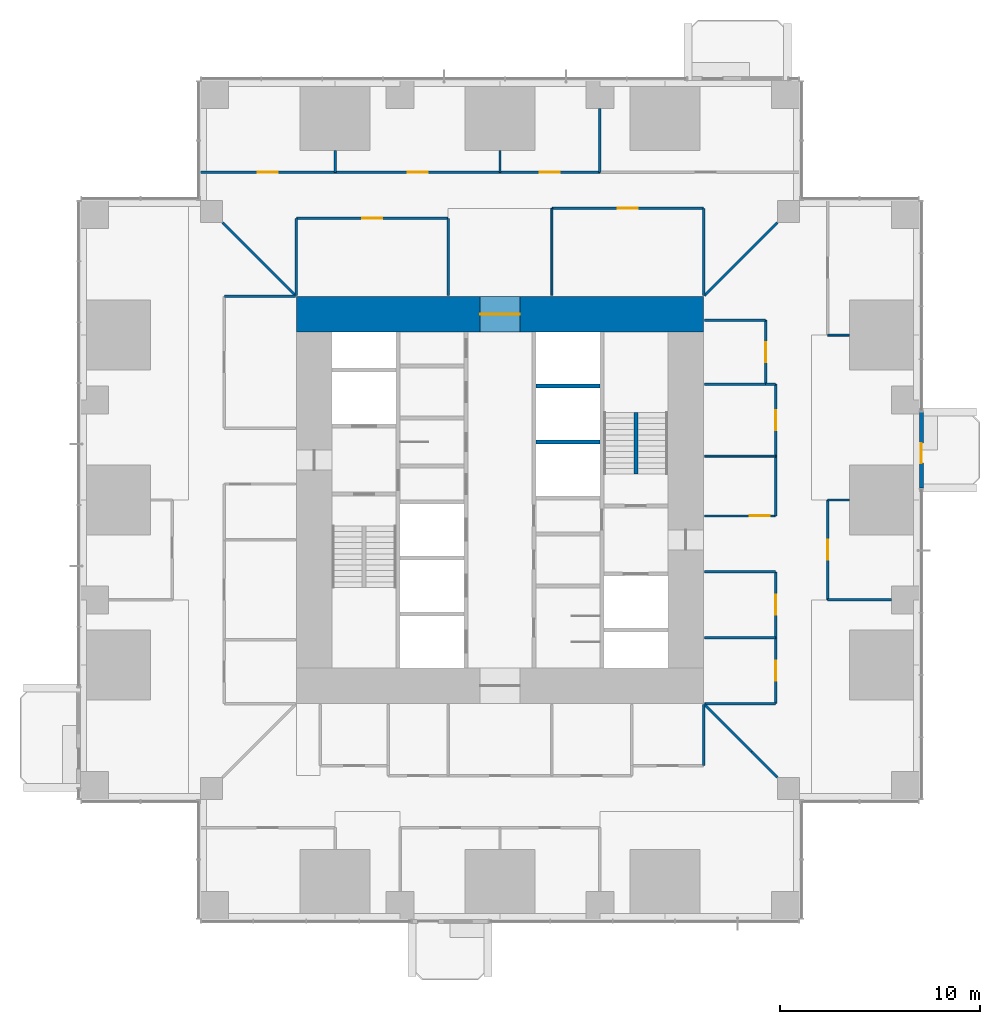
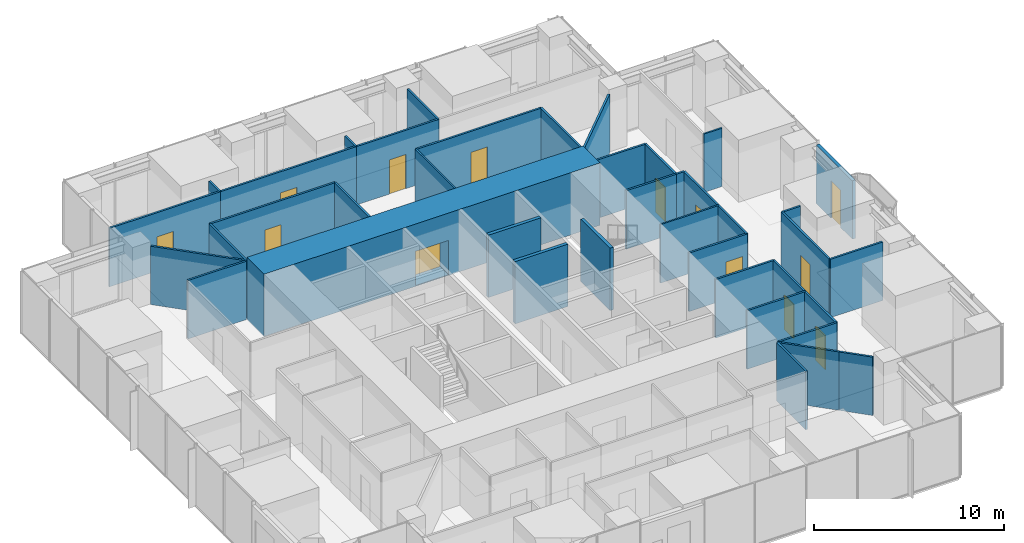
# One storey, part 13 of 18: 40 walls, 13 doors, 13 openings.
"""IFC4 building model written with IfcOpenShell, lengths in metres."""

from ifc_helpers import new_model, si_unit, direction, frame, frame_2d, origin, place, context, subcontext, project, spatial, rectangle, extrude, material, layer, layer_set, type_object, element, fill, save


model = new_model("IFC4")

# Units and contexts
model_context = context("Model", 3, precision=1e-05, world=origin(), true_north=direction((0.0, 1.0)))
body_context = subcontext(model_context, "Body", "Model", "MODEL_VIEW")
ifc_project = project(units=[si_unit("LENGTHUNIT", "METRE"), si_unit("AREAUNIT", "SQUARE_METRE"), si_unit("VOLUMEUNIT", "CUBIC_METRE"), si_unit("PLANEANGLEUNIT", "RADIAN"), si_unit("MASSUNIT", "GRAM", prefix="KILO")], contexts=[model_context])

# Site, building, storey
site_placement = place(None, origin())
site = spatial("IfcSite", under=ifc_project, at=site_placement, CompositionType="ELEMENT")
building_placement = place(site_placement, origin())
building = spatial("IfcBuilding", under=site, at=building_placement, Name="Svetlomir Tower", CompositionType="ELEMENT")
storey_placement = place(building_placement, frame((0.0, 0.0, 54.5)))
storey = spatial("IfcBuildingStorey", under=building, at=storey_placement, Name="L12", CompositionType="ELEMENT", Elevation=54.5)

# Wall, opening, door
ifc_material_1 = material(Name="Bronze anodised aluminium glazed screen", Category="aluminium")
ifc_layer_1 = layer(ifc_material_1, 0.199951171875)
ifc_layer_set_1 = layer_set([ifc_layer_1], Name="Bronze anodised aluminium glazed screen")
wall_type_1 = type_object("IfcWallType", Name="BALCONY SCREEN WALL 200", PredefinedType="USERDEFINED", material=ifc_layer_set_1)
wall_1_placement = place(storey_placement, frame((42.10009765625, 21.60009765625, 0.0), z_axis=(0.0, 0.0, 1.0), x_axis=(0.0, 1.0, 0.0)))
wall_1 = element("IfcWall", 1, at=wall_1_placement, inside=storey, type_object=wall_type_1, Name="Balcony screen E", ObjectType="GLAZED SCREEN", PredefinedType="USERDEFINED", context=body_context, shape_type="SweptSolid", body=[
    extrude(rectangle(XDim=3.7998046875, YDim=0.199951171875, at=frame_2d((1.89990234375, 0.0))), origin(), (0.0, 0.0, 1.0), 3.75),
])
opening_1_placement = place(wall_1_placement, frame((1.25, 0.0, 0.0)))
opening_1 = element("IfcOpeningElement", 2, at=opening_1_placement, cuts=wall_1, Name="Opening BD", PredefinedType="OPENING", context=body_context, shape_type="SweptSolid", body=[
    extrude(rectangle(XDim=1.0, YDim=2.39990234375, at=frame_2d((0.5, 1.199951171875))), frame((0.0, 0.10986328125, 0.0), z_axis=(0.0, -1.0, 0.0), x_axis=(1.0, 0.0, 0.0)), (0.0, 0.0, 1.0), 0.219970703125),
])
ifc_material_2 = material(Name="Bronze anodised aluminium glazed door", Category="aluminium")
door_type_1 = type_object("IfcDoorType", Name="BALCONY DOOR BD 1000x2400", OperationType="SINGLE_SWING_LEFT", PredefinedType="DOOR", material=ifc_material_2)
door_1_placement = place(opening_1_placement, origin())
door_1 = element("IfcDoor", 3, at=door_1_placement, inside=storey, type_object=door_type_1, Name="Balcony screen E door", OperationType="SINGLE_SWING_LEFT", OverallHeight=2.39990234375, OverallWidth=1.0, PredefinedType="DOOR", context=body_context, shape_type="SweptSolid", body=[
    extrude(rectangle(XDim=1.0, YDim=2.39990234375, at=frame_2d((0.5, 1.199951171875))), frame((0.0, 0.02490234375, 0.0), z_axis=(0.0, -1.0, 0.0), x_axis=(1.0, 0.0, 0.0)), (0.0, 0.0, 1.0), 0.050048828125),
])
fill(opening_1, door_1)

# Walls
ifc_material_3 = material(Name="Concrete C60/75", Category="concrete")
ifc_layer_2 = layer(ifc_material_3, 0.199951171875)
ifc_layer_set_2 = layer_set([ifc_layer_2], Name="Concrete C60/75")
wall_type_2 = type_object("IfcWallType", Name="CORE INNER WALL 200", PredefinedType="SHEAR", material=ifc_layer_set_2)
for number, where, z_axis, x_axis, name in (
    (4, (22.800048828125, 23.89990234375, -0.050048828125), (0.0, 0.0, 1.0), (1.0, 0.0, 0.0), "Core inner wall 22.8-26/23.9 L12"),
    (5, (22.800048828125, 26.699951171875, -0.050048828125), (0.0, 0.0, 1.0), (1.0, 0.0, 0.0), "Core inner wall 22.8-26/26.7 L12"),
):
    element("IfcWall", number, at=place(storey_placement, frame(where, z_axis=z_axis, x_axis=x_axis)), inside=storey, type_object=wall_type_2, Name=name, PredefinedType="SHEAR", context=body_context, shape_type="SweptSolid", body=[
        extrude(rectangle(XDim=3.199951171875, YDim=0.199951171875, at=frame_2d((1.60009765625, 0.0))), origin(), (0.0, 0.0, 1.0), 4.0),
    ])

# Wall, opening, door
ifc_material_4 = material(Name="Concrete C60/75", Category="concrete")
ifc_layer_3 = layer(ifc_material_4, 1.800048828125)
ifc_layer_set_3 = layer_set([ifc_layer_3], Name="Concrete C60/75")
wall_type_3 = type_object("IfcWallType", Name="CORE WALL 1800", PredefinedType="SHEAR", material=ifc_layer_set_3)
wall_2_placement = place(storey_placement, frame((10.800048828125, 30.300048828125, -0.050048828125), z_axis=(0.0, 0.0, 1.0), x_axis=(1.0, 0.0, 0.0)))
wall_2 = element("IfcWall", 6, at=wall_2_placement, inside=storey, type_object=wall_type_3, Name="Core wall north L12", PredefinedType="SHEAR", context=body_context, shape_type="SweptSolid", body=[
    extrude(rectangle(XDim=20.39990234375, YDim=1.800048828125, at=frame_2d((10.199951171875, 0.0))), origin(), (0.0, 0.0, 1.0), 4.0),
])
opening_2_placement = place(wall_2_placement, frame((9.199951171875, 0.0, 0.050048828125)))
opening_2 = element("IfcOpeningElement", 7, at=opening_2_placement, cuts=wall_2, Name="Opening DL", PredefinedType="OPENING", context=body_context, shape_type="SweptSolid", body=[
    extrude(rectangle(XDim=2.0, YDim=2.199951171875, at=frame_2d((1.0, 1.10009765625))), frame((0.0, 0.91015625, 0.0), z_axis=(0.0, -1.0, 0.0), x_axis=(1.0, 0.0, 0.0)), (0.0, 0.0, 1.0), 1.820068359375),
])
ifc_material_5 = material(Name="Steel fire door", Category="steel")
door_type_2 = type_object("IfcDoorType", Name="DOOR DL 2000x2200", OperationType="DOUBLE_DOOR_SINGLE_SWING", PredefinedType="DOOR", material=ifc_material_5)
door_2_placement = place(opening_2_placement, origin())
door_2 = element("IfcDoor", 8, at=door_2_placement, inside=storey, type_object=door_type_2, Name="Lift lobby north door L12", OperationType="DOUBLE_DOOR_SINGLE_SWING", OverallHeight=2.199951171875, OverallWidth=2.0, PredefinedType="DOOR", context=body_context, shape_type="SweptSolid", body=[
    extrude(rectangle(XDim=2.0, YDim=2.199951171875, at=frame_2d((1.0, 1.10009765625))), frame((0.0, 0.02490234375, 0.0), z_axis=(0.0, -1.0, 0.0), x_axis=(1.0, 0.0, 0.0)), (0.0, 0.0, 1.0), 0.050048828125),
])
fill(opening_2, door_2)

# Walls
ifc_material_6 = material(Name="Framed laminated glass partition", Category="glass")
ifc_layer_4 = layer(ifc_material_6, 0.10009765625)
ifc_layer_set_4 = layer_set([ifc_layer_4], Name="Framed laminated glass partition")
wall_type_4 = type_object("IfcWallType", Name="GLAZED PARTITION 100", PredefinedType="PARTITIONING", material=ifc_layer_set_4)
wall_3_placement = place(storey_placement, frame((23.60009765625, 31.25, 0.0), z_axis=(0.0, 0.0, 1.0), x_axis=(0.0, 1.0, 0.0)))
element("IfcWall", 9, at=wall_3_placement, inside=storey, type_object=wall_type_4, Name="Glazed partition L12", PredefinedType="PARTITIONING", context=body_context, shape_type="SweptSolid", body=[
    extrude(rectangle(XDim=4.35009765625, YDim=0.10009765625, at=frame_2d((2.175048828125, 0.0))), origin(), (0.0, 0.0, 1.0), 3.75),
])
wall_4_placement = place(storey_placement, frame((31.25, 23.199951171875, 0.0), z_axis=(0.0, 0.0, 1.0), x_axis=(1.0, 0.0, 0.0)))
element("IfcWall", 10, at=wall_4_placement, inside=storey, type_object=wall_type_4, Name="Glazed partition L12", PredefinedType="PARTITIONING", context=body_context, shape_type="SweptSolid", body=[
    extrude(rectangle(XDim=3.550048828125, YDim=0.10009765625, at=frame_2d((1.77490234375, 0.0))), origin(), (0.0, 0.0, 1.0), 3.75),
])
wall_5_placement = place(storey_placement, frame((37.39990234375, 29.25, 0.0), z_axis=(0.0, 0.0, 1.0), x_axis=(1.0, 0.0, 0.0)))
element("IfcWall", 11, at=wall_5_placement, inside=storey, type_object=wall_type_4, Name="Glazed partition L12", PredefinedType="PARTITIONING", context=body_context, shape_type="SweptSolid", body=[
    extrude(rectangle(XDim=1.090087890625, YDim=0.10009765625, at=frame_2d((0.544921875, 0.0))), origin(), (0.0, 0.0, 1.0), 3.75),
])

# Wall, opening, door
ifc_material_7 = material(Name="Gypsum board on steel studs", Category="steel")
ifc_layer_5 = layer(ifc_material_7, 0.1201171875)
ifc_layer_set_5 = layer_set([ifc_layer_5], Name="Gypsum board on steel studs")
wall_type_5 = type_object("IfcWallType", Name="PARTITION 120", PredefinedType="PARTITIONING", material=ifc_layer_set_5)
wall_6_placement = place(storey_placement, frame((6.0, 37.39990234375, 0.0), z_axis=(0.0, 0.0, 1.0), x_axis=(1.0, 0.0, 0.0)))
wall_6 = element("IfcWall", 12, at=wall_6_placement, inside=storey, type_object=wall_type_5, Name="Partition L12", PredefinedType="PARTITIONING", context=body_context, shape_type="SweptSolid", body=[
    extrude(rectangle(XDim=6.75, YDim=0.1201171875, at=frame_2d((3.375, 0.0))), origin(), (0.0, 0.0, 1.0), 3.75),
])
opening_3_placement = place(wall_6_placement, frame((2.875, 0.0, 0.0)))
opening_3 = element("IfcOpeningElement", 13, at=opening_3_placement, cuts=wall_6, Name="Opening DR", PredefinedType="OPENING", context=body_context, shape_type="SweptSolid", body=[
    extrude(rectangle(XDim=1.0, YDim=2.199951171875, at=frame_2d((0.5, 1.10009765625))), frame((0.0, 0.070068359375, 0.0), z_axis=(0.0, -1.0, 0.0), x_axis=(1.0, 0.0, 0.0)), (0.0, 0.0, 1.0), 0.14013671875),
])
ifc_material_8 = material(Name="Timber door, glazed side light", Category="wood")
door_type_3 = type_object("IfcDoorType", Name="DOOR DR 1000x2200", OperationType="SINGLE_SWING_LEFT", PredefinedType="DOOR", material=ifc_material_8)
door_3_placement = place(opening_3_placement, origin())
door_3 = element("IfcDoor", 14, at=door_3_placement, inside=storey, type_object=door_type_3, Name="Data protection officer office door L12", OperationType="SINGLE_SWING_RIGHT", OverallHeight=2.199951171875, OverallWidth=1.0, PredefinedType="DOOR", context=body_context, shape_type="SweptSolid", body=[
    extrude(rectangle(XDim=1.0, YDim=2.199951171875, at=frame_2d((0.5, 1.10009765625))), frame((0.0, 0.02490234375, 0.0), z_axis=(0.0, -1.0, 0.0), x_axis=(1.0, 0.0, 0.0)), (0.0, 0.0, 1.0), 0.050048828125),
])
fill(opening_3, door_3)

# Walls
wall_7_placement = place(storey_placement, frame((7.110107421875, 34.889892578125, 0.0), z_axis=(0.0, 0.0, 1.0), x_axis=(0.707106781187, -0.707106781187, 0.0)))
element("IfcWall", 15, at=wall_7_placement, inside=storey, type_object=wall_type_5, Name="Partition L12", PredefinedType="PARTITIONING", context=body_context, shape_type="SweptSolid", body=[
    extrude(rectangle(XDim=5.168212890625, YDim=0.1201171875, at=frame_2d((2.583984375, 0.0))), origin(), (0.0, 0.0, 1.0), 3.75),
])
wall_8_placement = place(storey_placement, frame((7.199951171875, 31.199951171875, 0.0), z_axis=(0.0, 0.0, 1.0), x_axis=(1.0, 0.0, 0.0)))
element("IfcWall", 16, at=wall_8_placement, inside=storey, type_object=wall_type_5, Name="Partition L12", PredefinedType="PARTITIONING", context=body_context, shape_type="SweptSolid", body=[
    extrude(rectangle(XDim=3.550048828125, YDim=0.1201171875, at=frame_2d((1.77490234375, 0.0))), origin(), (0.0, 0.0, 1.0), 3.75),
])
wall_9_placement = place(storey_placement, frame((10.800048828125, 31.25, 0.0), z_axis=(0.0, 0.0, 1.0), x_axis=(0.0, 1.0, 0.0)))
element("IfcWall", 17, at=wall_9_placement, inside=storey, type_object=wall_type_5, Name="Partition L12", PredefinedType="PARTITIONING", context=body_context, shape_type="SweptSolid", body=[
    extrude(rectangle(XDim=3.85009765625, YDim=0.1201171875, at=frame_2d((1.925048828125, 0.0))), origin(), (0.0, 0.0, 1.0), 3.75),
])

# Wall, opening, door
wall_10_placement = place(storey_placement, frame((10.800048828125, 35.10009765625, 0.0), z_axis=(0.0, 0.0, 1.0), x_axis=(1.0, 0.0, 0.0)))
wall_10 = element("IfcWall", 18, at=wall_10_placement, inside=storey, type_object=wall_type_5, Name="Partition L12", PredefinedType="PARTITIONING", context=body_context, shape_type="SweptSolid", body=[
    extrude(rectangle(XDim=7.599853515625, YDim=0.1201171875, at=frame_2d((3.7998046875, 0.0))), origin(), (0.0, 0.0, 1.0), 3.75),
])
opening_4_placement = place(wall_10_placement, frame((3.300048828125, 0.0, 0.0)))
opening_4 = element("IfcOpeningElement", 19, at=opening_4_placement, cuts=wall_10, Name="Opening DR", PredefinedType="OPENING", context=body_context, shape_type="SweptSolid", body=[
    extrude(rectangle(XDim=1.0, YDim=2.199951171875, at=frame_2d((0.5, 1.10009765625))), frame((0.0, 0.070068359375, 0.0), z_axis=(0.0, -1.0, 0.0), x_axis=(1.0, 0.0, 0.0)), (0.0, 0.0, 1.0), 0.14013671875),
])
door_4_placement = place(opening_4_placement, origin())
door_4 = element("IfcDoor", 20, at=door_4_placement, inside=storey, type_object=door_type_3, Name="Security operations centre door L12", OperationType="SINGLE_SWING_LEFT", OverallHeight=2.199951171875, OverallWidth=1.0, PredefinedType="DOOR", context=body_context, shape_type="SweptSolid", body=[
    extrude(rectangle(XDim=1.0, YDim=2.199951171875, at=frame_2d((0.5, 1.10009765625))), frame((0.0, 0.02490234375, 0.0), z_axis=(0.0, -1.0, 0.0), x_axis=(1.0, 0.0, 0.0)), (0.0, 0.0, 1.0), 0.050048828125),
])
fill(opening_4, door_4)

# Wall
wall_11_placement = place(storey_placement, frame((12.75, 37.39990234375, 0.0), z_axis=(0.0, 0.0, 1.0), x_axis=(0.0, 1.0, 0.0)))
element("IfcWall", 21, at=wall_11_placement, inside=storey, type_object=wall_type_5, Name="Partition L12", PredefinedType="PARTITIONING", context=body_context, shape_type="SweptSolid", body=[
    extrude(rectangle(XDim=1.090087890625, YDim=0.1201171875, at=frame_2d((0.544921875, 0.0))), origin(), (0.0, 0.0, 1.0), 3.75),
])

# Wall, opening, door
wall_12_placement = place(storey_placement, frame((12.75, 37.39990234375, 0.0), z_axis=(0.0, 0.0, 1.0), x_axis=(1.0, 0.0, 0.0)))
wall_12 = element("IfcWall", 22, at=wall_12_placement, inside=storey, type_object=wall_type_5, Name="Partition L12", PredefinedType="PARTITIONING", context=body_context, shape_type="SweptSolid", body=[
    extrude(rectangle(XDim=8.25, YDim=0.1201171875, at=frame_2d((4.125, 0.0))), origin(), (0.0, 0.0, 1.0), 3.75),
])
opening_5_placement = place(wall_12_placement, frame((3.625, 0.0, 0.0)))
opening_5 = element("IfcOpeningElement", 23, at=opening_5_placement, cuts=wall_12, Name="Opening DG", PredefinedType="OPENING", context=body_context, shape_type="SweptSolid", body=[
    extrude(rectangle(XDim=1.0, YDim=2.39990234375, at=frame_2d((0.5, 1.199951171875))), frame((0.0, 0.070068359375, 0.0), z_axis=(0.0, -1.0, 0.0), x_axis=(1.0, 0.0, 0.0)), (0.0, 0.0, 1.0), 0.14013671875),
])
ifc_material_9 = material(Name="Framed laminated glass door", Category="glass")
door_type_4 = type_object("IfcDoorType", Name="GLAZED DOOR DG 1000x2400", OperationType="SINGLE_SWING_LEFT", PredefinedType="DOOR", material=ifc_material_9)
door_5_placement = place(opening_5_placement, origin())
door_5 = element("IfcDoor", 24, at=door_5_placement, inside=storey, type_object=door_type_4, Name="Ring corridor 4 door 1 L12", OperationType="SINGLE_SWING_LEFT", OverallHeight=2.39990234375, OverallWidth=1.0, PredefinedType="DOOR", context=body_context, shape_type="SweptSolid", body=[
    extrude(rectangle(XDim=1.0, YDim=2.39990234375, at=frame_2d((0.5, 1.199951171875))), frame((0.0, 0.02490234375, 0.0), z_axis=(0.0, -1.0, 0.0), x_axis=(1.0, 0.0, 0.0)), (0.0, 0.0, 1.0), 0.050048828125),
])
fill(opening_5, door_5)

# Walls
wall_13_placement = place(storey_placement, frame((18.39990234375, 31.25, 0.0), z_axis=(0.0, 0.0, 1.0), x_axis=(0.0, 1.0, 0.0)))
element("IfcWall", 25, at=wall_13_placement, inside=storey, type_object=wall_type_5, Name="Partition L12", PredefinedType="PARTITIONING", context=body_context, shape_type="SweptSolid", body=[
    extrude(rectangle(XDim=3.85009765625, YDim=0.1201171875, at=frame_2d((1.925048828125, 0.0))), origin(), (0.0, 0.0, 1.0), 3.75),
])
wall_14_placement = place(storey_placement, frame((21.0, 37.39990234375, 0.0), z_axis=(0.0, 0.0, 1.0), x_axis=(0.0, 1.0, 0.0)))
element("IfcWall", 26, at=wall_14_placement, inside=storey, type_object=wall_type_5, Name="Partition L12", PredefinedType="PARTITIONING", context=body_context, shape_type="SweptSolid", body=[
    extrude(rectangle(XDim=1.090087890625, YDim=0.1201171875, at=frame_2d((0.544921875, 0.0))), origin(), (0.0, 0.0, 1.0), 3.75),
])

# Wall, opening, door
wall_15_placement = place(storey_placement, frame((21.0, 37.39990234375, 0.0), z_axis=(0.0, 0.0, 1.0), x_axis=(1.0, 0.0, 0.0)))
wall_15 = element("IfcWall", 27, at=wall_15_placement, inside=storey, type_object=wall_type_5, Name="Partition L12", PredefinedType="PARTITIONING", context=body_context, shape_type="SweptSolid", body=[
    extrude(rectangle(XDim=5.0, YDim=0.1201171875, at=frame_2d((2.5, 0.0))), origin(), (0.0, 0.0, 1.0), 3.75),
])
opening_6_placement = place(wall_15_placement, frame((2.0, 0.0, 0.0)))
opening_6 = element("IfcOpeningElement", 28, at=opening_6_placement, cuts=wall_15, Name="Opening DR", PredefinedType="OPENING", context=body_context, shape_type="SweptSolid", body=[
    extrude(rectangle(XDim=1.0, YDim=2.199951171875, at=frame_2d((0.5, 1.10009765625))), frame((0.0, 0.070068359375, 0.0), z_axis=(0.0, -1.0, 0.0), x_axis=(1.0, 0.0, 0.0)), (0.0, 0.0, 1.0), 0.14013671875),
])
door_6_placement = place(opening_6_placement, origin())
door_6 = element("IfcDoor", 29, at=door_6_placement, inside=storey, type_object=door_type_3, Name="Chief information security officer office door L12", OperationType="SINGLE_SWING_LEFT", OverallHeight=2.199951171875, OverallWidth=1.0, PredefinedType="DOOR", context=body_context, shape_type="SweptSolid", body=[
    extrude(rectangle(XDim=1.0, YDim=2.199951171875, at=frame_2d((0.5, 1.10009765625))), frame((0.0, 0.02490234375, 0.0), z_axis=(0.0, -1.0, 0.0), x_axis=(1.0, 0.0, 0.0)), (0.0, 0.0, 1.0), 0.050048828125),
])
fill(opening_6, door_6)

wall_16_placement = place(storey_placement, frame((23.60009765625, 35.60009765625, 0.0), z_axis=(0.0, 0.0, 1.0), x_axis=(1.0, 0.0, 0.0)))
wall_16 = element("IfcWall", 30, at=wall_16_placement, inside=storey, type_object=wall_type_5, Name="Partition L12", PredefinedType="PARTITIONING", context=body_context, shape_type="SweptSolid", body=[
    extrude(rectangle(XDim=7.599853515625, YDim=0.1201171875, at=frame_2d((3.7998046875, 0.0))), origin(), (0.0, 0.0, 1.0), 3.75),
])
opening_7_placement = place(wall_16_placement, frame((3.300048828125, 0.0, 0.0)))
opening_7 = element("IfcOpeningElement", 31, at=opening_7_placement, cuts=wall_16, Name="Opening DG", PredefinedType="OPENING", context=body_context, shape_type="SweptSolid", body=[
    extrude(rectangle(XDim=1.0, YDim=2.39990234375, at=frame_2d((0.5, 1.199951171875))), frame((0.0, 0.070068359375, 0.0), z_axis=(0.0, -1.0, 0.0), x_axis=(1.0, 0.0, 0.0)), (0.0, 0.0, 1.0), 0.14013671875),
])
door_7_placement = place(opening_7_placement, origin())
door_7 = element("IfcDoor", 32, at=door_7_placement, inside=storey, type_object=door_type_4, Name="Incident response room, 12 seats door L12", OperationType="SINGLE_SWING_RIGHT", OverallHeight=2.39990234375, OverallWidth=1.0, PredefinedType="DOOR", context=body_context, shape_type="SweptSolid", body=[
    extrude(rectangle(XDim=1.0, YDim=2.39990234375, at=frame_2d((0.5, 1.199951171875))), frame((0.0, 0.02490234375, 0.0), z_axis=(0.0, -1.0, 0.0), x_axis=(1.0, 0.0, 0.0)), (0.0, 0.0, 1.0), 0.050048828125),
])
fill(opening_7, door_7)

# Walls
wall_17_placement = place(storey_placement, frame((26.0, 37.39990234375, 0.0), z_axis=(0.0, 0.0, 1.0), x_axis=(0.0, 1.0, 0.0)))
element("IfcWall", 33, at=wall_17_placement, inside=storey, type_object=wall_type_5, Name="Partition L12", PredefinedType="PARTITIONING", context=body_context, shape_type="SweptSolid", body=[
    extrude(rectangle(XDim=3.190185546875, YDim=0.1201171875, at=frame_2d((1.59521484375, 0.0))), origin(), (0.0, 0.0, 1.0), 3.75),
])
wall_18_placement = place(storey_placement, frame((31.199951171875, 7.699951171875, 0.0), z_axis=(0.0, 0.0, 1.0), x_axis=(0.0, 1.0, 0.0)))
element("IfcWall", 34, at=wall_18_placement, inside=storey, type_object=wall_type_5, Name="Partition L12", PredefinedType="PARTITIONING", context=body_context, shape_type="SweptSolid", body=[
    extrude(rectangle(XDim=3.050048828125, YDim=0.1201171875, at=frame_2d((1.52490234375, 0.0))), origin(), (0.0, 0.0, 1.0), 3.75),
])
wall_19_placement = place(storey_placement, frame((31.199951171875, 31.25, 0.0), z_axis=(0.0, 0.0, 1.0), x_axis=(0.0, 1.0, 0.0)))
element("IfcWall", 35, at=wall_19_placement, inside=storey, type_object=wall_type_5, Name="Partition L12", PredefinedType="PARTITIONING", context=body_context, shape_type="SweptSolid", body=[
    extrude(rectangle(XDim=4.35009765625, YDim=0.1201171875, at=frame_2d((2.175048828125, 0.0))), origin(), (0.0, 0.0, 1.0), 3.75),
])
wall_20_placement = place(storey_placement, frame((31.2353515625, 10.7646484375, 0.0), z_axis=(0.0, 0.0, 1.0), x_axis=(0.707106781187, -0.707106781187, 0.0)))
element("IfcWall", 36, at=wall_20_placement, inside=storey, type_object=wall_type_5, Name="Partition L12", PredefinedType="PARTITIONING", context=body_context, shape_type="SweptSolid", body=[
    extrude(rectangle(XDim=3.346435546875, YDim=0.1201171875, at=frame_2d((1.67333984375, 0.0))), origin(), (0.0, 0.0, 1.0), 3.75),
])
wall_21_placement = place(storey_placement, frame((31.2353515625, 31.2353515625, 0.0), z_axis=(0.0, 0.0, 1.0), x_axis=(0.707106781187, 0.707106781187, 0.0)))
element("IfcWall", 37, at=wall_21_placement, inside=storey, type_object=wall_type_5, Name="Partition L12", PredefinedType="PARTITIONING", context=body_context, shape_type="SweptSolid", body=[
    extrude(rectangle(XDim=5.168212890625, YDim=0.1201171875, at=frame_2d((2.583984375, 0.0))), origin(), (0.0, 0.0, 1.0), 3.75),
])
for number, where, z_axis, x_axis, name in (
    (38, (31.25, 10.800048828125, 0.0), (0.0, 0.0, 1.0), (1.0, 0.0, 0.0), "Partition L12"),
    (39, (31.25, 14.10009765625, 0.0), (0.0, 0.0, 1.0), (1.0, 0.0, 0.0), "Partition L12"),
    (40, (31.25, 17.39990234375, 0.0), (0.0, 0.0, 1.0), (1.0, 0.0, 0.0), "Partition L12"),
):
    element("IfcWall", number, at=place(storey_placement, frame(where, z_axis=z_axis, x_axis=x_axis)), inside=storey, type_object=wall_type_5, Name=name, PredefinedType="PARTITIONING", context=body_context, shape_type="SweptSolid", body=[
        extrude(rectangle(XDim=3.550048828125, YDim=0.1201171875, at=frame_2d((1.77490234375, 0.0))), origin(), (0.0, 0.0, 1.0), 3.75),
    ])

# Wall, opening, door
wall_22_placement = place(storey_placement, frame((31.25, 20.199951171875, 0.0), z_axis=(0.0, 0.0, 1.0), x_axis=(1.0, 0.0, 0.0)))
wall_22 = element("IfcWall", 41, at=wall_22_placement, inside=storey, type_object=wall_type_5, Name="Partition L12", PredefinedType="PARTITIONING", context=body_context, shape_type="SweptSolid", body=[
    extrude(rectangle(XDim=3.550048828125, YDim=0.1201171875, at=frame_2d((1.77490234375, 0.0))), origin(), (0.0, 0.0, 1.0), 3.75),
])
opening_8_placement = place(wall_22_placement, frame((2.25, 0.0, 0.0)))
opening_8 = element("IfcOpeningElement", 42, at=opening_8_placement, cuts=wall_22, Name="Opening DG", PredefinedType="OPENING", context=body_context, shape_type="SweptSolid", body=[
    extrude(rectangle(XDim=1.0, YDim=2.39990234375, at=frame_2d((0.5, 1.199951171875))), frame((0.0, 0.070068359375, 0.0), z_axis=(0.0, -1.0, 0.0), x_axis=(1.0, 0.0, 0.0)), (0.0, 0.0, 1.0), 0.14013671875),
])
door_8_placement = place(opening_8_placement, origin())
door_8 = element("IfcDoor", 43, at=door_8_placement, inside=storey, type_object=door_type_4, Name="Ring corridor 3 door 3 L12", OperationType="SINGLE_SWING_RIGHT", OverallHeight=2.39990234375, OverallWidth=1.0, PredefinedType="DOOR", context=body_context, shape_type="SweptSolid", body=[
    extrude(rectangle(XDim=1.0, YDim=2.39990234375, at=frame_2d((0.5, 1.199951171875))), frame((0.0, 0.02490234375, 0.0), z_axis=(0.0, -1.0, 0.0), x_axis=(1.0, 0.0, 0.0)), (0.0, 0.0, 1.0), 0.050048828125),
])
fill(opening_8, door_8)

# Walls
for number, where, z_axis, x_axis, name in (
    (44, (31.25, 26.800048828125, 0.0), (0.0, 0.0, 1.0), (1.0, 0.0, 0.0), "Partition L12"),
    (45, (31.25, 30.0, 0.0), (0.0, 0.0, 1.0), (1.0, 0.0, 0.0), "Partition L12"),
):
    element("IfcWall", number, at=place(storey_placement, frame(where, z_axis=z_axis, x_axis=x_axis)), inside=storey, type_object=wall_type_5, Name=name, PredefinedType="PARTITIONING", context=body_context, shape_type="SweptSolid", body=[
        extrude(rectangle(XDim=3.050048828125, YDim=0.1201171875, at=frame_2d((1.52490234375, 0.0))), origin(), (0.0, 0.0, 1.0), 3.75),
    ])
wall_23_placement = place(storey_placement, frame((33.6015625, 8.3984375, 0.0), z_axis=(0.0, 0.0, 1.0), x_axis=(0.707106781187, -0.707106781187, 0.0)))
element("IfcWall", 46, at=wall_23_placement, inside=storey, type_object=wall_type_5, Name="Partition L12", PredefinedType="PARTITIONING", context=body_context, shape_type="SweptSolid", body=[
    extrude(rectangle(XDim=1.822021484375, YDim=0.1201171875, at=frame_2d((0.9111328125, 0.0))), origin(), (0.0, 0.0, 1.0), 3.75),
])

# Wall, opening, door
wall_24_placement = place(storey_placement, frame((34.300048828125, 26.800048828125, 0.0), z_axis=(0.0, 0.0, 1.0), x_axis=(0.0, 1.0, 0.0)))
wall_24 = element("IfcWall", 47, at=wall_24_placement, inside=storey, type_object=wall_type_5, Name="Partition L12", PredefinedType="PARTITIONING", context=body_context, shape_type="SweptSolid", body=[
    extrude(rectangle(XDim=3.199951171875, YDim=0.1201171875, at=frame_2d((1.60009765625, 0.0))), origin(), (0.0, 0.0, 1.0), 3.75),
])
opening_9_placement = place(wall_24_placement, frame((1.10009765625, 0.0, 0.0)))
opening_9 = element("IfcOpeningElement", 48, at=opening_9_placement, cuts=wall_24, Name="Opening DR", PredefinedType="OPENING", context=body_context, shape_type="SweptSolid", body=[
    extrude(rectangle(XDim=1.0, YDim=2.199951171875, at=frame_2d((0.5, 1.10009765625))), frame((0.0, 0.070068359375, 0.0), z_axis=(0.0, -1.0, 0.0), x_axis=(1.0, 0.0, 0.0)), (0.0, 0.0, 1.0), 0.14013671875),
])
door_9_placement = place(opening_9_placement, origin())
door_9 = element("IfcDoor", 49, at=door_9_placement, inside=storey, type_object=door_type_3, Name="Equipment store door L12", OperationType="SINGLE_SWING_RIGHT", OverallHeight=2.199951171875, OverallWidth=1.0, PredefinedType="DOOR", context=body_context, shape_type="SweptSolid", body=[
    extrude(rectangle(XDim=1.0, YDim=2.199951171875, at=frame_2d((0.5, 1.10009765625))), frame((0.0, 0.02490234375, 0.0), z_axis=(0.0, -1.0, 0.0), x_axis=(1.0, 0.0, 0.0)), (0.0, 0.0, 1.0), 0.050048828125),
])
fill(opening_9, door_9)

# Wall
wall_25_placement = place(storey_placement, frame((34.300048828125, 26.800048828125, 0.0), z_axis=(0.0, 0.0, 1.0), x_axis=(1.0, 0.0, 0.0)))
element("IfcWall", 50, at=wall_25_placement, inside=storey, type_object=wall_type_5, Name="Partition L12", PredefinedType="PARTITIONING", context=body_context, shape_type="SweptSolid", body=[
    extrude(rectangle(XDim=0.5, YDim=0.1201171875, at=frame_2d((0.25, 0.0))), origin(), (0.0, 0.0, 1.0), 3.75),
])

# Wall, opening, door
wall_26_placement = place(storey_placement, frame((34.800048828125, 10.800048828125, 0.0), z_axis=(0.0, 0.0, 1.0), x_axis=(0.0, 1.0, 0.0)))
wall_26 = element("IfcWall", 51, at=wall_26_placement, inside=storey, type_object=wall_type_5, Name="Partition L12", PredefinedType="PARTITIONING", context=body_context, shape_type="SweptSolid", body=[
    extrude(rectangle(XDim=3.300048828125, YDim=0.1201171875, at=frame_2d((1.64990234375, 0.0))), origin(), (0.0, 0.0, 1.0), 3.75),
])
opening_10_placement = place(wall_26_placement, frame((1.14990234375, 0.0, 0.0)))
opening_10 = element("IfcOpeningElement", 52, at=opening_10_placement, cuts=wall_26, Name="Opening DR", PredefinedType="OPENING", context=body_context, shape_type="SweptSolid", body=[
    extrude(rectangle(XDim=1.0, YDim=2.199951171875, at=frame_2d((0.5, 1.10009765625))), frame((0.0, 0.070068359375, 0.0), z_axis=(0.0, -1.0, 0.0), x_axis=(1.0, 0.0, 0.0)), (0.0, 0.0, 1.0), 0.14013671875),
])
door_10_placement = place(opening_10_placement, origin())
door_10 = element("IfcDoor", 53, at=door_10_placement, inside=storey, type_object=door_type_3, Name="Team leader office door L12", OperationType="SINGLE_SWING_LEFT", OverallHeight=2.199951171875, OverallWidth=1.0, PredefinedType="DOOR", context=body_context, shape_type="SweptSolid", body=[
    extrude(rectangle(XDim=1.0, YDim=2.199951171875, at=frame_2d((0.5, 1.10009765625))), frame((0.0, 0.02490234375, 0.0), z_axis=(0.0, -1.0, 0.0), x_axis=(1.0, 0.0, 0.0)), (0.0, 0.0, 1.0), 0.050048828125),
])
fill(opening_10, door_10)

wall_27_placement = place(storey_placement, frame((34.800048828125, 14.10009765625, 0.0), z_axis=(0.0, 0.0, 1.0), x_axis=(0.0, 1.0, 0.0)))
wall_27 = element("IfcWall", 54, at=wall_27_placement, inside=storey, type_object=wall_type_5, Name="Partition L12", PredefinedType="PARTITIONING", context=body_context, shape_type="SweptSolid", body=[
    extrude(rectangle(XDim=3.2998046875, YDim=0.1201171875, at=frame_2d((1.64990234375, 0.0))), origin(), (0.0, 0.0, 1.0), 3.75),
])
opening_11_placement = place(wall_27_placement, frame((1.14990234375, 0.0, 0.0)))
opening_11 = element("IfcOpeningElement", 55, at=opening_11_placement, cuts=wall_27, Name="Opening DR", PredefinedType="OPENING", context=body_context, shape_type="SweptSolid", body=[
    extrude(rectangle(XDim=1.0, YDim=2.199951171875, at=frame_2d((0.5, 1.10009765625))), frame((0.0, 0.070068359375, 0.0), z_axis=(0.0, -1.0, 0.0), x_axis=(1.0, 0.0, 0.0)), (0.0, 0.0, 1.0), 0.14013671875),
])
door_11_placement = place(opening_11_placement, origin())
door_11 = element("IfcDoor", 56, at=door_11_placement, inside=storey, type_object=door_type_3, Name="Section head office door L12", OperationType="SINGLE_SWING_RIGHT", OverallHeight=2.199951171875, OverallWidth=1.0, PredefinedType="DOOR", context=body_context, shape_type="SweptSolid", body=[
    extrude(rectangle(XDim=1.0, YDim=2.199951171875, at=frame_2d((0.5, 1.10009765625))), frame((0.0, 0.02490234375, 0.0), z_axis=(0.0, -1.0, 0.0), x_axis=(1.0, 0.0, 0.0)), (0.0, 0.0, 1.0), 0.050048828125),
])
fill(opening_11, door_11)

# Wall
wall_28_placement = place(storey_placement, frame((34.800048828125, 20.199951171875, 0.0), z_axis=(0.0, 0.0, 1.0), x_axis=(0.0, 1.0, 0.0)))
element("IfcWall", 57, at=wall_28_placement, inside=storey, type_object=wall_type_5, Name="Partition L12", PredefinedType="PARTITIONING", context=body_context, shape_type="SweptSolid", body=[
    extrude(rectangle(XDim=3.0, YDim=0.1201171875, at=frame_2d((1.5, 0.0))), origin(), (0.0, 0.0, 1.0), 3.75),
])

# Wall, opening, door
wall_29_placement = place(storey_placement, frame((34.800048828125, 23.199951171875, 0.0), z_axis=(0.0, 0.0, 1.0), x_axis=(0.0, 1.0, 0.0)))
wall_29 = element("IfcWall", 58, at=wall_29_placement, inside=storey, type_object=wall_type_5, Name="Partition L12", PredefinedType="PARTITIONING", context=body_context, shape_type="SweptSolid", body=[
    extrude(rectangle(XDim=3.60009765625, YDim=0.1201171875, at=frame_2d((1.800048828125, 0.0))), origin(), (0.0, 0.0, 1.0), 3.75),
])
opening_12_placement = place(wall_29_placement, frame((1.300048828125, 0.0, 0.0)))
opening_12 = element("IfcOpeningElement", 59, at=opening_12_placement, cuts=wall_29, Name="Opening DG", PredefinedType="OPENING", context=body_context, shape_type="SweptSolid", body=[
    extrude(rectangle(XDim=1.0, YDim=2.39990234375, at=frame_2d((0.5, 1.199951171875))), frame((0.0, 0.070068359375, 0.0), z_axis=(0.0, -1.0, 0.0), x_axis=(1.0, 0.0, 0.0)), (0.0, 0.0, 1.0), 0.14013671875),
])
door_12_placement = place(opening_12_placement, origin())
door_12 = element("IfcDoor", 60, at=door_12_placement, inside=storey, type_object=door_type_4, Name="Meeting room, 6 seats door L12", OperationType="SINGLE_SWING_LEFT", OverallHeight=2.39990234375, OverallWidth=1.0, PredefinedType="DOOR", context=body_context, shape_type="SweptSolid", body=[
    extrude(rectangle(XDim=1.0, YDim=2.39990234375, at=frame_2d((0.5, 1.199951171875))), frame((0.0, 0.02490234375, 0.0), z_axis=(0.0, -1.0, 0.0), x_axis=(1.0, 0.0, 0.0)), (0.0, 0.0, 1.0), 0.050048828125),
])
fill(opening_12, door_12)

wall_30_placement = place(storey_placement, frame((37.39990234375, 16.0, 0.0), z_axis=(0.0, 0.0, 1.0), x_axis=(0.0, 1.0, 0.0)))
wall_30 = element("IfcWall", 61, at=wall_30_placement, inside=storey, type_object=wall_type_5, Name="Partition L12", PredefinedType="PARTITIONING", context=body_context, shape_type="SweptSolid", body=[
    extrude(rectangle(XDim=5.0, YDim=0.1201171875, at=frame_2d((2.5, 0.0))), origin(), (0.0, 0.0, 1.0), 3.75),
])
opening_13_placement = place(wall_30_placement, frame((2.0, 0.0, 0.0)))
opening_13 = element("IfcOpeningElement", 62, at=opening_13_placement, cuts=wall_30, Name="Opening DR", PredefinedType="OPENING", context=body_context, shape_type="SweptSolid", body=[
    extrude(rectangle(XDim=1.0, YDim=2.199951171875, at=frame_2d((0.5, 1.10009765625))), frame((0.0, 0.070068359375, 0.0), z_axis=(0.0, -1.0, 0.0), x_axis=(1.0, 0.0, 0.0)), (0.0, 0.0, 1.0), 0.14013671875),
])
door_13_placement = place(opening_13_placement, origin())
door_13 = element("IfcDoor", 63, at=door_13_placement, inside=storey, type_object=door_type_3, Name="Data architecture office door L12", OperationType="SINGLE_SWING_RIGHT", OverallHeight=2.199951171875, OverallWidth=1.0, PredefinedType="DOOR", context=body_context, shape_type="SweptSolid", body=[
    extrude(rectangle(XDim=1.0, YDim=2.199951171875, at=frame_2d((0.5, 1.10009765625))), frame((0.0, 0.02490234375, 0.0), z_axis=(0.0, -1.0, 0.0), x_axis=(1.0, 0.0, 0.0)), (0.0, 0.0, 1.0), 0.050048828125),
])
fill(opening_13, door_13)

# Walls
wall_31_placement = place(storey_placement, frame((37.39990234375, 16.0, 0.0), z_axis=(0.0, 0.0, 1.0), x_axis=(1.0, 0.0, 0.0)))
element("IfcWall", 64, at=wall_31_placement, inside=storey, type_object=wall_type_5, Name="Partition L12", PredefinedType="PARTITIONING", context=body_context, shape_type="SweptSolid", body=[
    extrude(rectangle(XDim=3.190185546875, YDim=0.1201171875, at=frame_2d((1.59521484375, 0.0))), origin(), (0.0, 0.0, 1.0), 3.75),
])
wall_32_placement = place(storey_placement, frame((37.39990234375, 21.0, 0.0), z_axis=(0.0, 0.0, 1.0), x_axis=(1.0, 0.0, 0.0)))
element("IfcWall", 65, at=wall_32_placement, inside=storey, type_object=wall_type_5, Name="Partition L12", PredefinedType="PARTITIONING", context=body_context, shape_type="SweptSolid", body=[
    extrude(rectangle(XDim=1.090087890625, YDim=0.1201171875, at=frame_2d((0.544921875, 0.0))), origin(), (0.0, 0.0, 1.0), 3.75),
])
ifc_material_10 = material(Name="Concrete C60/75", Category="concrete")
ifc_layer_6 = layer(ifc_material_10, 0.199951171875)
ifc_layer_set_6 = layer_set([ifc_layer_6], Name="Concrete C60/75")
wall_type_6 = type_object("IfcWallType", Name="STAIR SPINE WALL 200", PredefinedType="PARTITIONING", material=ifc_layer_set_6)
wall_33_placement = place(storey_placement, frame((27.800048828125, 22.300048828125, 0.0), z_axis=(0.0, 0.0, 1.0), x_axis=(0.0, 1.0, 0.0)))
element("IfcWall", 66, at=wall_33_placement, inside=storey, type_object=wall_type_6, Name="Stair S2 spine wall L12", PredefinedType="PARTITIONING", context=body_context, shape_type="SweptSolid", body=[
    extrude(rectangle(XDim=3.079833984375, YDim=0.199951171875, at=frame_2d((1.5400390625, 0.0))), origin(), (0.0, 0.0, 1.0), 4.0),
])

save(model, "model.ifc")
